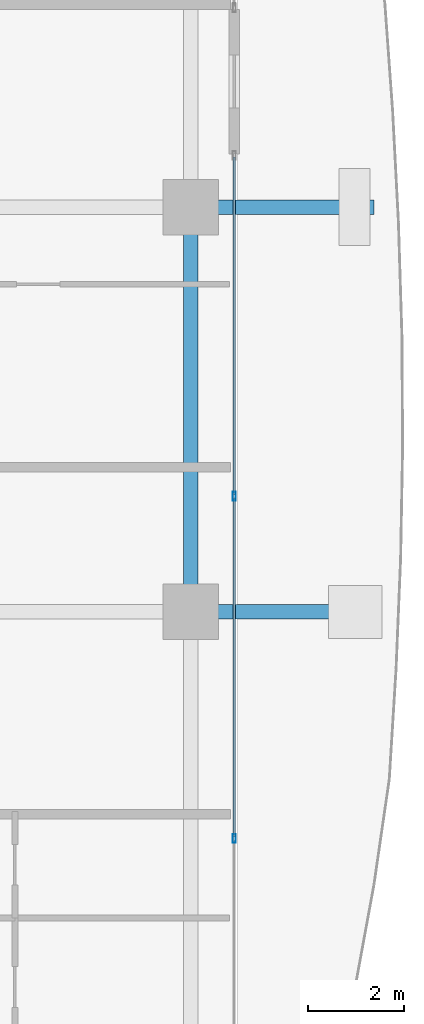
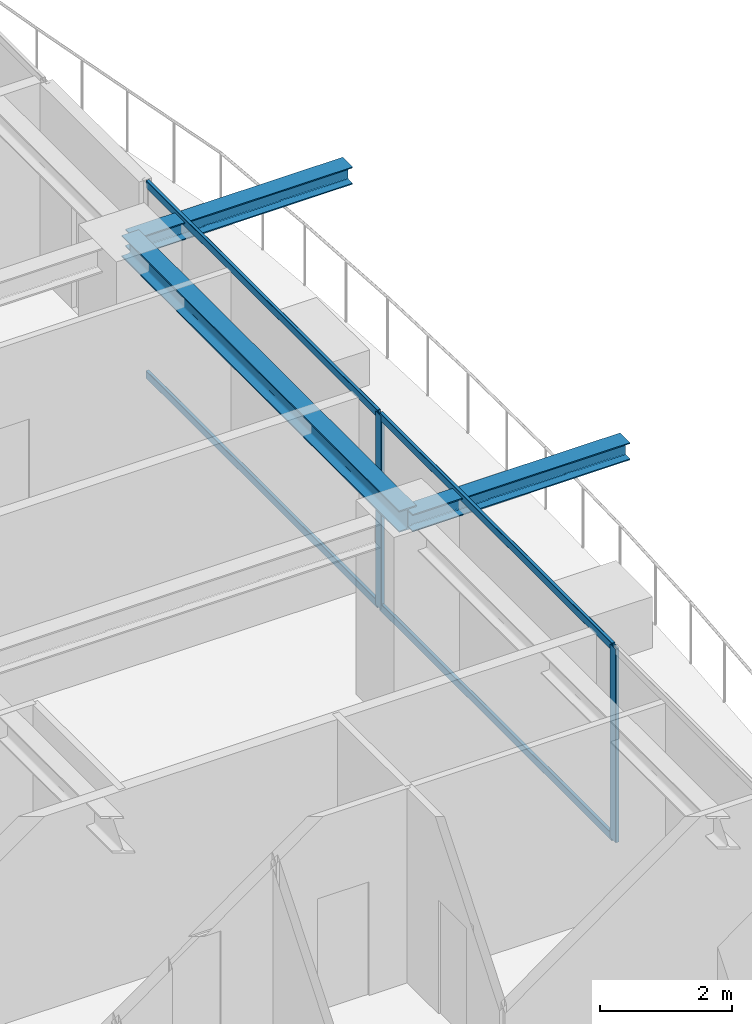
# One storey, part 15 of 38: 6 members, 3 beams, 1 element without a shape of its own.
"""IFC4 building model written with IfcOpenShell, lengths in metres."""

import ifcopenshell
import ifcopenshell.guid

model = None  # the IFC model being written
_history = None  # IfcOwnerHistory: only IFC2X3 demands one
_inside = {}  # id of a spatial element -> (the spatial element, [elements in it])
_under = {}  # id of a project, library or spatial element -> (it, [spatial elements below it])
_declared = {}  # id of a project -> (the project, [libraries it declares])
_typed = {}  # id of a type object -> (the type object, [elements of that type])
_made_of = {}  # id of a material, layer set ... -> (it, [elements and type objects made of it])


def new_model(schema):
    """Start an empty IFC model of exactly this schema.

    Asked for "IFC4X3", IfcOpenShell would pick the latest addendum, in which some entities
    have other attributes; the version numbers below select the first issue.
    IFC2X3 requires an IfcOwnerHistory on every rooted entity: one is made here for all.
    """
    global model, _history
    if schema == "IFC4X3":
        model = ifcopenshell.file(schema_version=(4, 3, 0, 0))
    else:
        model = ifcopenshell.file(schema=schema)
    _inside.clear()
    _under.clear()
    _declared.clear()
    _typed.clear()
    _made_of.clear()
    _history = None
    if model.schema == "IFC2X3":
        org = make("IfcOrganization", Name="unknown")
        user = make(
            "IfcPersonAndOrganization",
            ThePerson=make("IfcPerson", FamilyName="unknown"),
            TheOrganization=org,
        )
        app = make(
            "IfcApplication",
            ApplicationDeveloper=org,
            Version="unknown",
            ApplicationFullName="unknown",
            ApplicationIdentifier="unknown",
        )
        _history = make(
            "IfcOwnerHistory",
            OwningUser=user,
            OwningApplication=app,
            ChangeAction="ADDED",
            CreationDate=0,
        )
    return model


def make(cls, **values):
    """One entity of the class cls with the attributes given. An attribute that is None is left unset."""
    return model.create_entity(
        cls, **{name: value for name, value in values.items() if value is not None}
    )


def rooted(cls, **values):
    """An entity with a GlobalId (a new one), such as an element, a storey or a relation."""
    return make(cls, GlobalId=ifcopenshell.guid.new(), OwnerHistory=_history, **values)


def si_unit(unit_type, name, prefix=None):
    """IfcSIUnit, for example si_unit("LENGTHUNIT", "METRE", prefix="MILLI")."""
    return make("IfcSIUnit", UnitType=unit_type, Prefix=prefix, Name=name)


def assignment(units):
    """IfcUnitAssignment: the units of a project."""
    return None if units is None else make("IfcUnitAssignment", Units=units)


def point(xyz):
    """IfcCartesianPoint."""
    return None if xyz is None else make("IfcCartesianPoint", Coordinates=xyz)


def direction(xyz):
    """IfcDirection."""
    return None if xyz is None else make("IfcDirection", DirectionRatios=xyz)


def frame(location, z_axis=None, x_axis=None):
    """IfcAxis2Placement3D, a coordinate frame: its origin and axes. An axis left out is left unset."""
    return make(
        "IfcAxis2Placement3D",
        Location=point(location),
        Axis=direction(z_axis),
        RefDirection=direction(x_axis),
    )


def frame_2d(location, x_axis=None):
    """IfcAxis2Placement2D, a coordinate frame in the plane: its origin and x axis."""
    return make(
        "IfcAxis2Placement2D", Location=point(location), RefDirection=direction(x_axis)
    )


def origin():
    """The frame at (0, 0, 0) with its axes left unset."""
    return frame((0.0, 0.0, 0.0))


def origin_2d():
    """The frame at (0, 0) in the plane with its x axis left unset."""
    return frame_2d((0.0, 0.0))


def place(relative_to, where):
    """IfcLocalPlacement: puts the frame where relative to a parent placement (None: the world)."""
    return make(
        "IfcLocalPlacement", PlacementRelTo=relative_to, RelativePlacement=where
    )


def context(
    kind, dimensions, precision=None, world=None, true_north=None, identifier=None
):
    """IfcGeometricRepresentationContext, for example the 3D "Model" context."""
    return make(
        "IfcGeometricRepresentationContext",
        ContextIdentifier=identifier,
        ContextType=kind,
        CoordinateSpaceDimension=dimensions,
        Precision=precision,
        WorldCoordinateSystem=world,
        TrueNorth=true_north,
    )


def subcontext(parent, identifier, kind, view, scale=None):
    """IfcGeometricRepresentationSubContext, for example "Body" below "Model"."""
    return make(
        "IfcGeometricRepresentationSubContext",
        ContextIdentifier=identifier,
        ContextType=kind,
        ParentContext=parent,
        TargetScale=scale,
        TargetView=view,
    )


def project(units=None, contexts=None):
    """IfcProject with its units and contexts."""
    return rooted(
        "IfcProject",
        Name="project",
        RepresentationContexts=contexts,
        UnitsInContext=assignment(units),
    )


def spatial(cls, under=None, at=None, **own):
    """A site, building, storey or space (cls), placed at a placement, below another one or the project."""
    s = rooted(cls, ObjectPlacement=at, **own)
    if under is not None:
        _under.setdefault(under.id(), (under, []))[1].append(s)
    return s


def profile(cls, at=None, kind="AREA", **sizes):
    """A parametric profile (cls). Its sizes go by their IFC names, for example OverallWidth=200.0."""
    return make(cls, ProfileType=kind, Position=at, **sizes)


def hollow_rectangle(**sizes):
    """IfcRectangleHollowProfileDef."""
    return profile("IfcRectangleHollowProfileDef", **sizes)


def i_section(**sizes):
    """IfcIShapeProfileDef."""
    return profile("IfcIShapeProfileDef", **sizes)


def extrude(swept, where, along, depth):
    """IfcExtrudedAreaSolid: the profile swept, set in the frame where, extruded along a direction by depth."""
    return make(
        "IfcExtrudedAreaSolid",
        SweptArea=swept,
        Position=where,
        ExtrudedDirection=direction(along),
        Depth=depth,
    )


def shape(context_of_items, identifier, shape_type, items):
    """IfcShapeRepresentation: the items that make up one representation, for example the "Body"."""
    return make(
        "IfcShapeRepresentation",
        ContextOfItems=context_of_items,
        RepresentationIdentifier=identifier,
        RepresentationType=shape_type,
        Items=items,
    )


def source(mapping_origin, context_of_items, identifier, shape_type, items):
    """IfcRepresentationMap: a shape defined once, which mapped items show again and again."""
    return make(
        "IfcRepresentationMap",
        MappingOrigin=mapping_origin,
        MappedRepresentation=shape(context_of_items, identifier, shape_type, items),
    )


def transform(
    local_origin,
    x_axis=None,
    y_axis=None,
    z_axis=None,
    scale=None,
    scale2=None,
    scale3=None,
    uniform=True,
):
    """IfcCartesianTransformationOperator3D, or its non-uniform kind. x_axis, y_axis, z_axis: its Axis1, 2, 3."""
    if uniform:
        return make(
            "IfcCartesianTransformationOperator3D",
            Axis1=direction(x_axis),
            Axis2=direction(y_axis),
            LocalOrigin=point(local_origin),
            Scale=scale,
            Axis3=direction(z_axis),
        )
    return make(
        "IfcCartesianTransformationOperator3DnonUniform",
        Axis1=direction(x_axis),
        Axis2=direction(y_axis),
        LocalOrigin=point(local_origin),
        Scale=scale,
        Axis3=direction(z_axis),
        Scale2=scale2,
        Scale3=scale3,
    )


def mapped(mapping_source, mapping_target):
    """IfcMappedItem: shows the shape of a source again, moved by a transform."""
    return make(
        "IfcMappedItem", MappingSource=mapping_source, MappingTarget=mapping_target
    )


def material(Name=None, Category=None):
    """IfcMaterial."""
    return make("IfcMaterial", Name=Name, Category=Category)


def layer(
    of_material, thickness, ventilated=None, Name=None, Category=None, Priority=None
):
    """IfcMaterialLayer: one layer of a wall or slab, of a material (None: an air gap)."""
    return make(
        "IfcMaterialLayer",
        Material=of_material,
        LayerThickness=thickness,
        IsVentilated=ventilated,
        Name=Name,
        Category=Category,
        Priority=Priority,
    )


def layer_set(layers, Name=None):
    """IfcMaterialLayerSet."""
    return make("IfcMaterialLayerSet", MaterialLayers=layers, LayerSetName=Name)


def material_profile(
    of_material, cross_section, Name=None, Category=None, Priority=None
):
    """IfcMaterialProfile: a cross section and its material."""
    return make(
        "IfcMaterialProfile",
        Name=Name,
        Material=of_material,
        Profile=cross_section,
        Priority=Priority,
        Category=Category,
    )


def profile_set(profiles, Name=None, composite=None):
    """IfcMaterialProfileSet."""
    return make(
        "IfcMaterialProfileSet",
        Name=Name,
        MaterialProfiles=profiles,
        CompositeProfile=composite,
    )


def made_of(thing, what):
    """Note that an element or type object is made of a material, layer set ...; save() writes the relation."""
    if what is not None:
        _made_of.setdefault(what.id(), (what, []))[1].append(thing)
    return thing


def type_object(cls, material=None, **own):
    """A type object (cls), such as IfcWallType, which elements share."""
    return made_of(rooted(cls, **own), material)


def element(
    cls,
    number,
    at=None,
    inside=None,
    cuts=None,
    type_object=None,
    material=None,
    context=None,
    identifier="Body",
    shape_type=None,
    held_by="IfcProductDefinitionShape",
    body=None,
    shapes=None,
    **own,
):
    """One element of the class cls, such as IfcWall. Its Tag is "e" and its number.

    at: its placement. inside: the storey or other place that contains it. cuts: it is an
    opening in that element (IfcRelVoidsElement). A single representation is given by context,
    identifier, shape_type and body (its items); several are given by shapes. held_by: the class
    of the entity that holds the representations. save() writes the other relations.
    """
    e = rooted(cls, Tag="e%d" % number, ObjectPlacement=at, **own)
    if body is not None:
        shapes = [shape(context, identifier, shape_type, body)]
    if shapes is not None:
        e.Representation = make(held_by, Representations=shapes)
    if inside is not None:
        _inside.setdefault(inside.id(), (inside, []))[1].append(e)
    if cuts is not None:
        rooted(
            "IfcRelVoidsElement", RelatingBuildingElement=cuts, RelatedOpeningElement=e
        )
    if type_object is not None:
        _typed.setdefault(type_object.id(), (type_object, []))[1].append(e)
    return made_of(e, material)


def aggregate(whole, parts):
    """IfcRelAggregates: a whole, such as a stair, and the parts it consists of."""
    return rooted("IfcRelAggregates", RelatingObject=whole, RelatedObjects=parts)


def save(model, path):
    """Write the relations noted so far, then the file.

    IfcRelAggregates (storeys below a building ...), IfcRelContainedInSpatialStructure (elements
    in a storey), IfcRelDefinesByType, IfcRelAssociatesMaterial and IfcRelDeclares: one each for
    every whole, place, type object, material and project.
    """
    for whole, parts in _under.values():
        aggregate(whole, parts)
    for where, things in _inside.values():
        rooted(
            "IfcRelContainedInSpatialStructure",
            RelatedElements=things,
            RelatingStructure=where,
        )
    for kind, things in _typed.values():
        rooted("IfcRelDefinesByType", RelatedObjects=things, RelatingType=kind)
    for what, things in _made_of.values():
        rooted("IfcRelAssociatesMaterial", RelatedObjects=things, RelatingMaterial=what)
    for by, libraries in _declared.values():
        rooted("IfcRelDeclares", RelatingContext=by, RelatedDefinitions=libraries)
    model.write(path)


model = new_model("IFC4")

# Units and contexts
model_context = context("Model", 3, precision=1e-05, world=origin(), true_north=direction((0.0, 1.0)))
body_context = subcontext(model_context, "Body", "Model", "MODEL_VIEW")
ifc_project = project(units=[si_unit("LENGTHUNIT", "METRE"), si_unit("AREAUNIT", "SQUARE_METRE"), si_unit("VOLUMEUNIT", "CUBIC_METRE"), si_unit("PLANEANGLEUNIT", "RADIAN"), si_unit("MASSUNIT", "GRAM", prefix="KILO")], contexts=[model_context])

# Site, building, storey
site_placement = place(None, origin())
site = spatial("IfcSite", under=ifc_project, at=site_placement, CompositionType="ELEMENT")
building_placement = place(site_placement, origin())
building = spatial("IfcBuilding", under=site, at=building_placement, Name="Serunith Strait Residences", CompositionType="ELEMENT")
storey_placement = place(building_placement, frame((0.0, 0.0, 229.699951171875)))
storey = spatial("IfcBuildingStorey", under=building, at=storey_placement, Name="L57", CompositionType="ELEMENT", Elevation=229.699951171875)

# Beams
ifc_material_1 = material(Name="Steel S355J2", Category="steel")
ifc_material_profile_1 = material_profile(ifc_material_1, i_section(OverallWidth=0.300048828125, OverallDepth=0.39990234375, WebThickness=0.013427734375, FlangeThickness=0.02392578125, FilletRadius=0.027099609375, at=origin_2d()), Name="HEB 400")
ifc_profile_set_1 = profile_set([ifc_material_profile_1], Name="Steel S355J2")
beam_type_1 = type_object("IfcBeamType", Name="BM-HEB400", PredefinedType="BEAM", material=ifc_profile_set_1)
shared_shape_1 = source(origin(), body_context, "Body", "SweptSolid", [
    extrude(i_section(OverallWidth=0.300048828125, OverallDepth=0.39990234375, WebThickness=0.013427734375, FlangeThickness=0.02392578125, FilletRadius=0.027099609375, at=origin_2d()), origin(), (0.0, 0.0, 1.0), 8.39990234375),
])
beam_placement = place(storey_placement, frame((56.5, 21.0, 3.386962890625), z_axis=(0.0, 1.0, 0.0), x_axis=(-1.0, 0.0, 0.0)))
element("IfcBeam", 1, at=beam_placement, inside=storey, type_object=beam_type_1, Name="L57 Perimeter Ring Beam 06", PredefinedType="BEAM", context=body_context, shape_type="MappedRepresentation", body=[
    mapped(shared_shape_1, transform((0.0, 0.0, 0.0), scale=1.0)),
])
ifc_material_profile_2 = material_profile(ifc_material_1, i_section(OverallWidth=0.300048828125, OverallDepth=0.320068359375, WebThickness=0.011474609375, FlangeThickness=0.0205078125, FilletRadius=0.027099609375, at=origin_2d()), Name="HEB 320")
ifc_profile_set_2 = profile_set([ifc_material_profile_2], Name="Steel S355J2")
beam_type_2 = type_object("IfcBeamType", Name="BM-HEB320", PredefinedType="BEAM", material=ifc_profile_set_2)
shared_shape_2 = source(origin(), body_context, "Body", "SweptSolid", [
    extrude(i_section(OverallWidth=0.300048828125, OverallDepth=0.320068359375, WebThickness=0.011474609375, FlangeThickness=0.0205078125, FilletRadius=0.027099609375, at=origin_2d()), origin(), (0.0, 0.0, 1.0), 3.800048828125),
])
for number, where, z_axis, x_axis, name in (
    (2, (56.5, 21.0, 3.39697265625), (1.0, 0.0, 0.0), (0.0, 1.0, 0.0), "L58 Cantilevered Balcony Rib TC-E2"),
    (3, (56.5, 29.39990234375, 3.39697265625), (1.0, 0.0, 0.0), (0.0, 1.0, 0.0), "L58 Cantilevered Balcony Rib TC-E3"),
):
    element("IfcBeam", number, at=place(storey_placement, frame(where, z_axis=z_axis, x_axis=x_axis)), inside=storey, type_object=beam_type_2, Name=name, PredefinedType="BEAM", context=body_context, shape_type="MappedRepresentation", body=[
        mapped(shared_shape_2, transform((0.0, 0.0, 0.0), scale=1.0)),
    ])

# Curtain wall, members
ifc_material_2 = material(Name="Pale-Champagne Anodised Aluminium", Category="aluminium")
ifc_layer = layer(ifc_material_2, 0.199951171875, Name="Pale-Champagne Anodised Aluminium")
ifc_layer_set = layer_set([ifc_layer], Name="Pale-Champagne Anodised Aluminium")
curtain_wall_type = type_object("IfcCurtainWallType", Name="CW-SYS4", PredefinedType="NOTDEFINED", material=ifc_layer_set)
curtain_wall_placement = place(storey_placement, origin())
curtain_wall = element("IfcCurtainWall", 4, at=curtain_wall_placement, inside=storey, type_object=curtain_wall_type, Name="L57 E Unitised Fritted Curtain Wall", PredefinedType="NOTDEFINED")
ifc_material_profile_3 = material_profile(ifc_material_2, hollow_rectangle(XDim=0.06494140625, YDim=0.179931640625, WallThickness=0.00341796875, InnerFilletRadius=0.00537109375, OuterFilletRadius=0.0087890625, at=origin_2d()), Name="ALU 180x65x3.5")
ifc_profile_set_3 = profile_set([ifc_material_profile_3], Name="Pale-Champagne Anodised Aluminium")
member_type_1 = type_object("IfcMemberType", Name="CW-SYS4-MULL", PredefinedType="MULLION", material=ifc_profile_set_3)
shared_shape_3 = source(origin(), body_context, "Body", "SweptSolid", [
    extrude(hollow_rectangle(XDim=0.06494140625, YDim=0.179931640625, WallThickness=0.00341796875, InnerFilletRadius=0.00537109375, OuterFilletRadius=0.0087890625, at=origin_2d()), origin(), (0.0, 0.0, 1.0), 3.574951171875),
])
member_1_placement = place(storey_placement, frame((57.39990234375, 16.300048828125, 0.0), z_axis=(0.0, 0.0, 1.0), x_axis=(-1.0, 0.0, 0.0)))
member_1 = element("IfcMember", 5, at=member_1_placement, type_object=member_type_1, Name="CW-4 mullion 2", PredefinedType="MULLION", context=body_context, shape_type="MappedRepresentation", body=[
    mapped(shared_shape_3, transform((0.0, 0.0, 0.0), scale=1.0)),
])
member_2_placement = place(storey_placement, frame((57.39990234375, 23.39990234375, 0.0), z_axis=(0.0, 0.0, 1.0), x_axis=(-1.0, 0.0, 0.0)))
member_2 = element("IfcMember", 6, at=member_2_placement, type_object=member_type_1, Name="CW-4 mullion 3", PredefinedType="MULLION", context=body_context, shape_type="MappedRepresentation", body=[
    mapped(shared_shape_3, transform((0.0, 0.0, 0.0), scale=1.0)),
])
ifc_material_profile_4 = material_profile(ifc_material_2, hollow_rectangle(XDim=0.06005859375, YDim=0.139892578125, WallThickness=0.00341796875, InnerFilletRadius=0.00537109375, OuterFilletRadius=0.0087890625, at=origin_2d()), Name="ALU 140x60x3.5")
ifc_profile_set_4 = profile_set([ifc_material_profile_4], Name="Pale-Champagne Anodised Aluminium")
member_type_2 = type_object("IfcMemberType", Name="CW-SYS4-TRAN", PredefinedType="USERDEFINED", material=ifc_profile_set_4)
shared_shape_4 = source(origin(), body_context, "Body", "SweptSolid", [
    extrude(hollow_rectangle(XDim=0.06005859375, YDim=0.139892578125, WallThickness=0.00341796875, InnerFilletRadius=0.00537109375, OuterFilletRadius=0.0087890625, at=origin_2d()), origin(), (0.0, 0.0, 1.0), 7.00244140625),
])
member_3_placement = place(storey_placement, frame((57.39990234375, 23.4326171875, 0.030029296875), z_axis=(0.0, 1.0, 0.0), x_axis=(-1.0, 0.0, 0.0)))
member_3 = element("IfcMember", 7, at=member_3_placement, type_object=member_type_2, Name="CW-4 transom 3.1", ObjectType="TRANSOM", PredefinedType="USERDEFINED", context=body_context, shape_type="MappedRepresentation", body=[
    mapped(shared_shape_4, transform((0.0, 0.0, 0.0), scale=1.0)),
])
member_4_placement = place(storey_placement, frame((57.39990234375, 23.4326171875, 3.545166015625), z_axis=(0.0, 1.0, 0.0), x_axis=(-1.0, 0.0, 0.0)))
member_4 = element("IfcMember", 8, at=member_4_placement, type_object=member_type_2, Name="CW-4 transom 3.2", ObjectType="TRANSOM", PredefinedType="USERDEFINED", context=body_context, shape_type="MappedRepresentation", body=[
    mapped(shared_shape_4, transform((0.0, 0.0, 0.0), scale=1.0)),
])
shared_shape_5 = source(origin(), body_context, "Body", "SweptSolid", [
    extrude(hollow_rectangle(XDim=0.06005859375, YDim=0.139892578125, WallThickness=0.00341796875, InnerFilletRadius=0.00537109375, OuterFilletRadius=0.0087890625, at=origin_2d()), origin(), (0.0, 0.0, 1.0), 7.034912109375),
])
member_5_placement = place(storey_placement, frame((57.39990234375, 16.33251953125, 0.030029296875), z_axis=(0.0, 1.0, 0.0), x_axis=(-1.0, 0.0, 0.0)))
member_5 = element("IfcMember", 9, at=member_5_placement, type_object=member_type_2, Name="CW-4 transom 2.1", ObjectType="TRANSOM", PredefinedType="USERDEFINED", context=body_context, shape_type="MappedRepresentation", body=[
    mapped(shared_shape_5, transform((0.0, 0.0, 0.0), scale=1.0)),
])
member_6_placement = place(storey_placement, frame((57.39990234375, 16.33251953125, 3.545166015625), z_axis=(0.0, 1.0, 0.0), x_axis=(-1.0, 0.0, 0.0)))
member_6 = element("IfcMember", 10, at=member_6_placement, type_object=member_type_2, Name="CW-4 transom 2.2", ObjectType="TRANSOM", PredefinedType="USERDEFINED", context=body_context, shape_type="MappedRepresentation", body=[
    mapped(shared_shape_5, transform((0.0, 0.0, 0.0), scale=1.0)),
])
aggregate(curtain_wall, [member_1, member_2, member_5, member_6, member_3, member_4])

save(model, "model.ifc")
